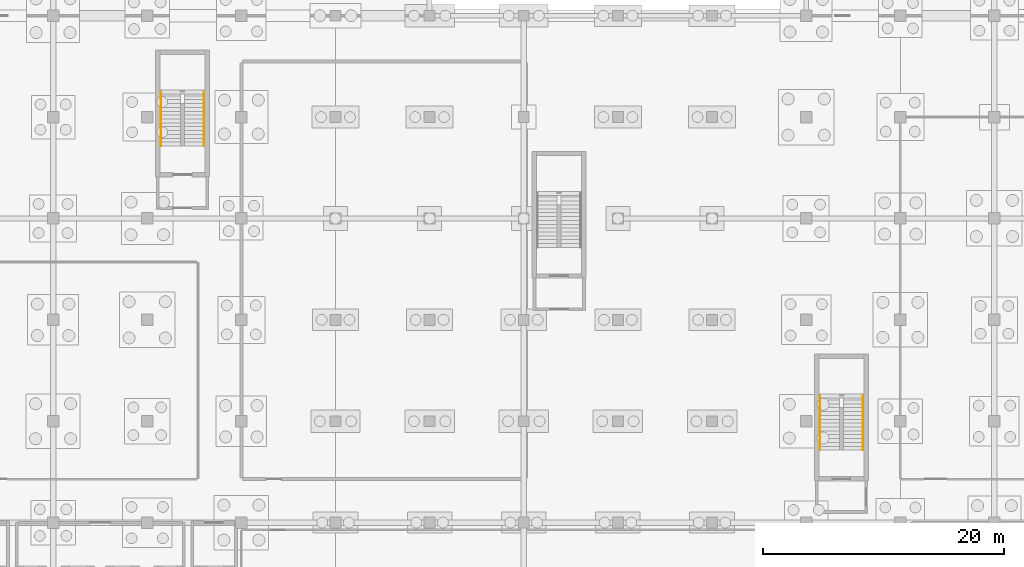
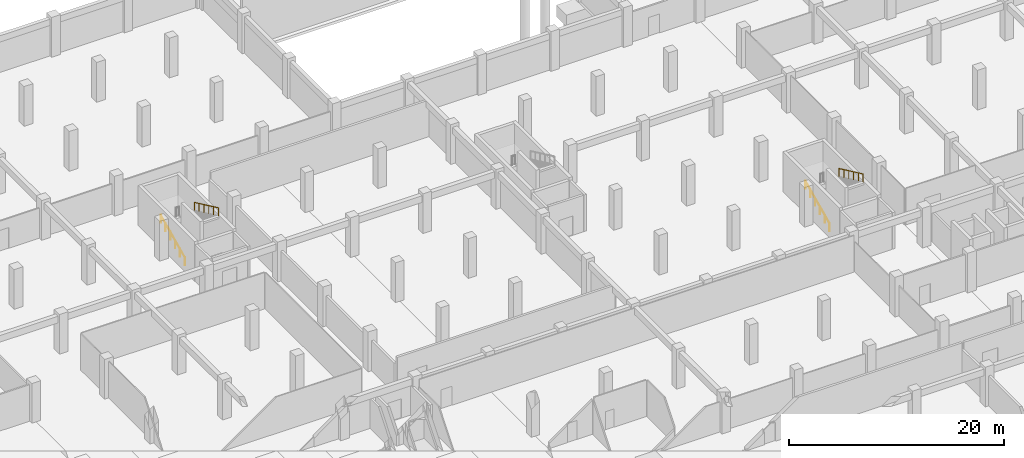
# One storey, part 25 of 30: 4 railings.
"""IFC4 building model written with IfcOpenShell, lengths in metres."""

from ifc_helpers import new_model, si_unit, direction, frame, origin, origin_2d, place, context, subcontext, project, spatial, circle, extrude, material, type_object, element, save


model = new_model("IFC4")

# Units and contexts
model_context = context("Model", 3, precision=1e-05, world=origin(), true_north=direction((0.0, 1.0)))
body_context = subcontext(model_context, "Body", "Model", "MODEL_VIEW")
ifc_project = project(units=[si_unit("LENGTHUNIT", "METRE"), si_unit("AREAUNIT", "SQUARE_METRE"), si_unit("VOLUMEUNIT", "CUBIC_METRE"), si_unit("PLANEANGLEUNIT", "RADIAN"), si_unit("MASSUNIT", "GRAM", prefix="KILO"), si_unit("THERMODYNAMICTEMPERATUREUNIT", "KELVIN"), si_unit("POWERUNIT", "WATT")], contexts=[model_context])

# Site, building, storey
site_placement = place(None, origin())
site = spatial("IfcSite", under=ifc_project, at=site_placement, CompositionType="ELEMENT")
building_placement = place(site_placement, origin())
building = spatial("IfcBuilding", under=site, at=building_placement, Name="Srebrne Nadtorze General Hospital", CompositionType="ELEMENT")
storey_placement = place(building_placement, frame((0.0, 0.0, -4.5)))
storey = spatial("IfcBuildingStorey", under=building, at=storey_placement, Name="B1", CompositionType="ELEMENT", Elevation=-4.5)

# Railings
ifc_material = material(Name="Stainless Steel 316", Category="steel")
railing_type = type_object("IfcRailingType", Name="Tubular stainless handrail 920", PredefinedType="HANDRAIL", material=ifc_material)
railing_1_placement = place(storey_placement, frame((47.929931640625, 81.60009765625, 0.14990234375)))
element("IfcRailing", 1, at=railing_1_placement, inside=storey, type_object=railing_type, Name="Stair flight handrail ST-02-B1 F1", PredefinedType="HANDRAIL", context=body_context, shape_type="SweptSolid", body=[
    extrude(circle(Radius=0.02392578125, at=origin_2d()), frame((0.0, 0.0, 0.89599609375), z_axis=(0.0, 0.905450639465, 0.424451574969), x_axis=(-1.0, 0.0, 0.0)), (0.0, 0.0, 1.0), 4.94775390625),
    extrude(circle(Radius=0.02099609375, at=origin_2d()), origin(), (0.0, 0.0, 1.0), 0.871826171875),
    extrude(circle(Radius=0.02099609375, at=origin_2d()), frame((0.0, 0.89599609375, 0.419921875)), (0.0, 0.0, 1.0), 0.871826171875),
    extrude(circle(Radius=0.02099609375, at=origin_2d()), frame((0.0, 1.7919921875, 0.840087890625)), (0.0, 0.0, 1.0), 0.871826171875),
    extrude(circle(Radius=0.02099609375, at=origin_2d()), frame((0.0, 2.68798828125, 1.260009765625)), (0.0, 0.0, 1.0), 0.871826171875),
    extrude(circle(Radius=0.02099609375, at=origin_2d()), frame((0.0, 3.583984375, 1.68017578125)), (0.0, 0.0, 1.0), 0.871826171875),
    extrude(circle(Radius=0.02099609375, at=origin_2d()), frame((0.0, 4.47998046875, 2.10009765625)), (0.0, 0.0, 1.0), 0.871826171875),
])
railing_2_placement = place(storey_placement, frame((51.52001953125, 86.080078125, 2.39990234375)))
element("IfcRailing", 2, at=railing_2_placement, inside=storey, type_object=railing_type, Name="Stair flight handrail ST-02-B1 F2", PredefinedType="HANDRAIL", context=body_context, shape_type="SweptSolid", body=[
    extrude(circle(Radius=0.02392578125, at=origin_2d()), frame((0.0, 0.0, 0.89599609375), z_axis=(0.0, -0.905450639465, 0.424451574969), x_axis=(1.0, 0.0, 0.0)), (0.0, 0.0, 1.0), 4.94775390625),
    extrude(circle(Radius=0.02099609375, at=origin_2d()), origin(), (0.0, 0.0, 1.0), 0.871826171875),
    extrude(circle(Radius=0.02099609375, at=origin_2d()), frame((0.0, -0.89599609375, 0.419921875)), (0.0, 0.0, 1.0), 0.871826171875),
    extrude(circle(Radius=0.02099609375, at=origin_2d()), frame((0.0, -1.7919921875, 0.840087890625)), (0.0, 0.0, 1.0), 0.871826171875),
    extrude(circle(Radius=0.02099609375, at=origin_2d()), frame((0.0, -2.68798828125, 1.260009765625)), (0.0, 0.0, 1.0), 0.871826171875),
    extrude(circle(Radius=0.02099609375, at=origin_2d()), frame((0.0, -3.583984375, 1.68017578125)), (0.0, 0.0, 1.0), 0.871826171875),
    extrude(circle(Radius=0.02099609375, at=origin_2d()), frame((0.0, -4.47998046875, 2.10009765625)), (0.0, 0.0, 1.0), 0.871826171875),
])
railing_3_placement = place(storey_placement, frame((102.530029296875, 56.39990234375, 0.14990234375)))
element("IfcRailing", 3, at=railing_3_placement, inside=storey, type_object=railing_type, Name="Stair flight handrail ST-03-B1 F1", PredefinedType="HANDRAIL", context=body_context, shape_type="SweptSolid", body=[
    extrude(circle(Radius=0.02392578125, at=origin_2d()), frame((0.0, 0.0, 0.89599609375), z_axis=(0.0, 0.905450639465, 0.424451574969), x_axis=(-1.0, 0.0, 0.0)), (0.0, 0.0, 1.0), 4.94775390625),
    extrude(circle(Radius=0.02099609375, at=origin_2d()), origin(), (0.0, 0.0, 1.0), 0.871826171875),
    extrude(circle(Radius=0.02099609375, at=origin_2d()), frame((0.0, 0.89599609375, 0.419921875)), (0.0, 0.0, 1.0), 0.871826171875),
    extrude(circle(Radius=0.02099609375, at=origin_2d()), frame((0.0, 1.7919921875, 0.840087890625)), (0.0, 0.0, 1.0), 0.871826171875),
    extrude(circle(Radius=0.02099609375, at=origin_2d()), frame((0.0, 2.68798828125, 1.260009765625)), (0.0, 0.0, 1.0), 0.871826171875),
    extrude(circle(Radius=0.02099609375, at=origin_2d()), frame((0.0, 3.583984375, 1.68017578125)), (0.0, 0.0, 1.0), 0.871826171875),
    extrude(circle(Radius=0.02099609375, at=origin_2d()), frame((0.0, 4.47998046875, 2.10009765625)), (0.0, 0.0, 1.0), 0.871826171875),
])
railing_4_placement = place(storey_placement, frame((106.1201171875, 60.8798828125, 2.39990234375)))
element("IfcRailing", 4, at=railing_4_placement, inside=storey, type_object=railing_type, Name="Stair flight handrail ST-03-B1 F2", PredefinedType="HANDRAIL", context=body_context, shape_type="SweptSolid", body=[
    extrude(circle(Radius=0.02392578125, at=origin_2d()), frame((0.0, 0.0, 0.89599609375), z_axis=(0.0, -0.905450639465, 0.424451574969), x_axis=(1.0, 0.0, 0.0)), (0.0, 0.0, 1.0), 4.94775390625),
    extrude(circle(Radius=0.02099609375, at=origin_2d()), origin(), (0.0, 0.0, 1.0), 0.871826171875),
    extrude(circle(Radius=0.02099609375, at=origin_2d()), frame((0.0, -0.89599609375, 0.419921875)), (0.0, 0.0, 1.0), 0.871826171875),
    extrude(circle(Radius=0.02099609375, at=origin_2d()), frame((0.0, -1.7919921875, 0.840087890625)), (0.0, 0.0, 1.0), 0.871826171875),
    extrude(circle(Radius=0.02099609375, at=origin_2d()), frame((0.0, -2.68798828125, 1.260009765625)), (0.0, 0.0, 1.0), 0.871826171875),
    extrude(circle(Radius=0.02099609375, at=origin_2d()), frame((0.0, -3.583984375, 1.68017578125)), (0.0, 0.0, 1.0), 0.871826171875),
    extrude(circle(Radius=0.02099609375, at=origin_2d()), frame((0.0, -4.47998046875, 2.10009765625)), (0.0, 0.0, 1.0), 0.871826171875),
])

save(model, "model.ifc")
